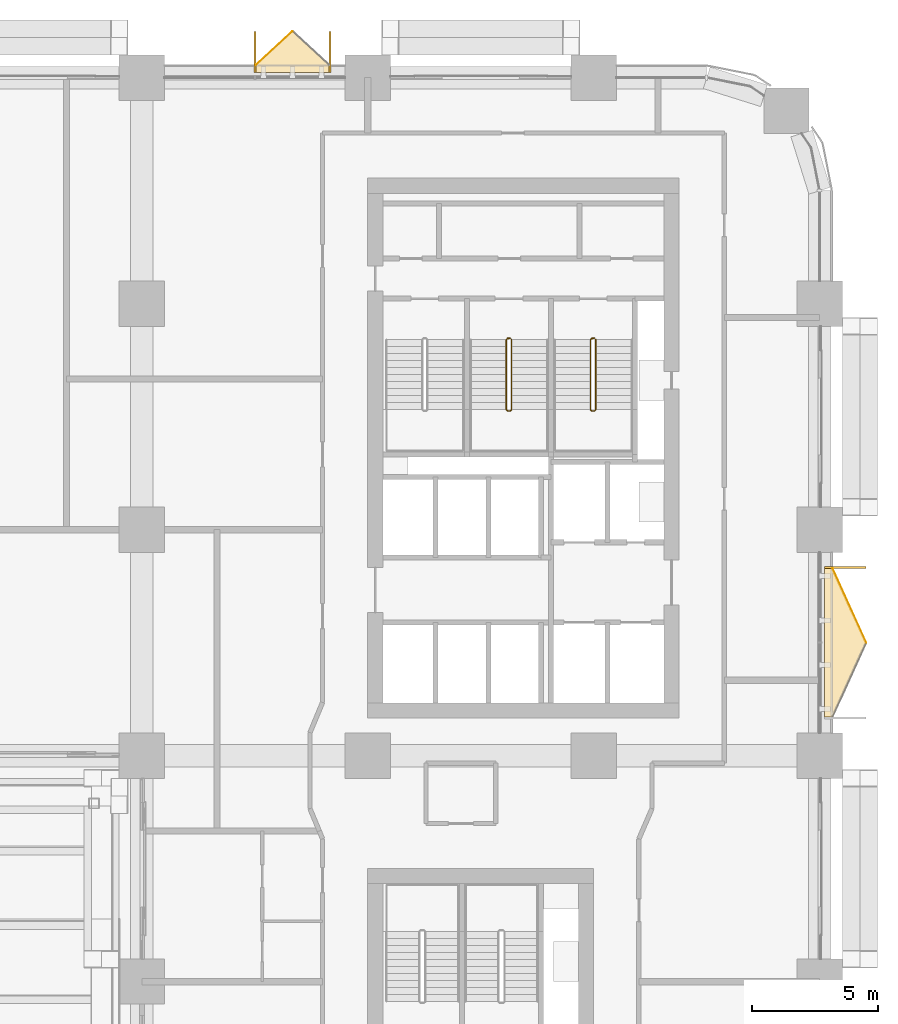
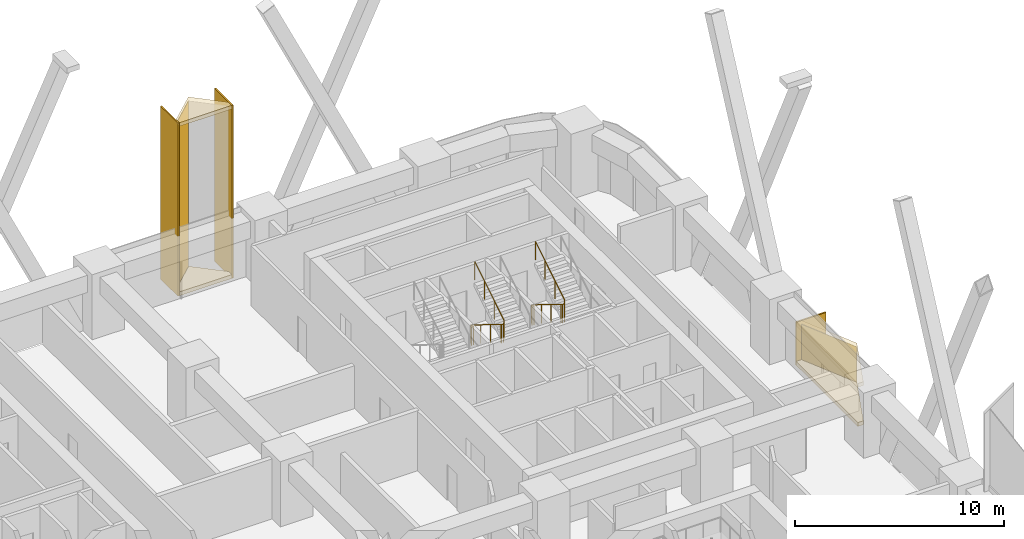
# One storey, part 22 of 22: 9 coverings, 2 railings.
"""IFC4 building model written with IfcOpenShell, lengths in metres."""

from ifc_helpers import new_model, si_unit, direction, frame, origin, origin_2d, place, context, subcontext, project, spatial, polyline, rectangle, circle, outline, extrude, material, layer, layer_set, type_object, element, save


model = new_model("IFC4")

# Units and contexts
model_context = context("Model", 3, precision=1e-05, world=origin(), true_north=direction((0.0, 1.0)))
body_context = subcontext(model_context, "Body", "Model", "MODEL_VIEW")
ifc_project = project(units=[si_unit("LENGTHUNIT", "METRE"), si_unit("AREAUNIT", "SQUARE_METRE"), si_unit("VOLUMEUNIT", "CUBIC_METRE"), si_unit("PLANEANGLEUNIT", "RADIAN"), si_unit("MASSUNIT", "GRAM", prefix="KILO")], contexts=[model_context])

# Site, building, storey
site_placement = place(None, origin())
site = spatial("IfcSite", under=ifc_project, at=site_placement, CompositionType="ELEMENT")
building_placement = place(site_placement, origin())
building = spatial("IfcBuilding", under=site, at=building_placement, Name="Tessera Arch", CompositionType="ELEMENT")
storey_placement = place(building_placement, frame((0.0, 0.0, 77.800048828125)))
storey = spatial("IfcBuildingStorey", under=building, at=storey_placement, Name="L17", CompositionType="ELEMENT", Elevation=77.800048828125)

# Railings
ifc_material_1 = material(Name="Painted steel balustrade", Category="steel")
railing_type = type_object("IfcRailingType", Name="Stair guard 1100", PredefinedType="GUARDRAIL", material=ifc_material_1)
railing_1_placement = place(storey_placement, frame((41.570068359375, 43.6298828125, 0.0)))
element("IfcRailing", 1, at=railing_1_placement, inside=storey, type_object=railing_type, Name="L17 S1b stair guard 1", PredefinedType="GUARDRAIL", context=body_context, shape_type="SweptSolid", body=[
    extrude(circle(Radius=0.02392578125, at=origin_2d()), frame((-0.00390625, 0.0, 1.076171875), z_axis=(1.0, 0.0, 0.0), x_axis=(0.0, 1.0, 0.0)), (0.0, 0.0, 1.0), 0.117919921875),
    extrude(circle(Radius=0.02392578125, at=origin_2d()), frame((0.112548828125, 0.000732421875, 1.0732421875), z_axis=(-0.664883824791, -0.207078321004, 0.717668494851), x_axis=(0.297361876254, -0.954764847777, 0.0)), (0.0, 0.0, 1.0), 0.24853515625),
    extrude(circle(Radius=0.02392578125, at=origin_2d()), frame((-0.050048828125, -0.04638671875, 1.24658203125), z_axis=(0.0, -0.851089632645, 0.525020415988), x_axis=(1.0, 0.0, 0.0)), (0.0, 0.0, 1.0), 3.2978515625),
    extrude(circle(Radius=0.02392578125, at=origin_2d()), frame((-0.052978515625, -2.846923828125, 2.97607421875), z_axis=(0.707106781187, -0.707106781187, 0.0), x_axis=(0.707106781187, 0.707106781187, 0.0)), (0.0, 0.0, 1.0), 0.078857421875),
    extrude(circle(Radius=0.02392578125, at=origin_2d()), frame((-0.00390625, -2.89990234375, 2.97607421875), z_axis=(1.0, 0.0, 0.0), x_axis=(0.0, 1.0, 0.0)), (0.0, 0.0, 1.0), 0.117919921875),
    extrude(circle(Radius=0.02392578125, at=origin_2d()), frame((0.10888671875, -2.90087890625, 2.97216796875), z_axis=(0.267953482034, 0.267953482034, 0.925419830635), x_axis=(-0.707106781187, 0.707106781187, 0.0)), (0.0, 0.0, 1.0), 0.19482421875),
    extrude(circle(Radius=0.02392578125, at=origin_2d()), frame((0.159912109375, -2.853271484375, 3.146728515625), z_axis=(0.0, 0.851089632645, 0.525020415988), x_axis=(-1.0, 0.0, 0.0)), (0.0, 0.0, 1.0), 3.2978515625),
    extrude(circle(Radius=0.02099609375, at=origin_2d()), origin(), (0.0, 0.0, 1.0), 1.06396484375),
    extrude(circle(Radius=0.02099609375, at=origin_2d()), frame((0.10986328125, 0.0, 0.0)), (0.0, 0.0, 1.0), 1.06396484375),
    extrude(circle(Radius=0.02099609375, at=origin_2d()), frame((-0.050048828125, -0.0498046875, 0.172607421875)), (0.0, 0.0, 1.0), 1.06396484375),
    extrude(circle(Radius=0.02099609375, at=origin_2d()), frame((-0.050048828125, -0.983154296875, 0.748291015625)), (0.0, 0.0, 1.0), 1.06396484375),
    extrude(circle(Radius=0.02099609375, at=origin_2d()), frame((-0.050048828125, -1.91650390625, 1.32421875)), (0.0, 0.0, 1.0), 1.06396484375),
    extrude(circle(Radius=0.02099609375, at=origin_2d()), frame((-0.050048828125, -2.849853515625, 1.89990234375)), (0.0, 0.0, 1.0), 1.06396484375),
    extrude(circle(Radius=0.02099609375, at=origin_2d()), frame((0.0, -2.89990234375, 1.89990234375)), (0.0, 0.0, 1.0), 1.06396484375),
    extrude(circle(Radius=0.02099609375, at=origin_2d()), frame((0.10986328125, -2.89990234375, 1.89990234375)), (0.0, 0.0, 1.0), 1.06396484375),
    extrude(circle(Radius=0.02099609375, at=origin_2d()), frame((0.159912109375, -2.849853515625, 2.07275390625)), (0.0, 0.0, 1.0), 1.06396484375),
    extrude(circle(Radius=0.02099609375, at=origin_2d()), frame((0.159912109375, -1.91650390625, 2.6484375)), (0.0, 0.0, 1.0), 1.06396484375),
    extrude(circle(Radius=0.02099609375, at=origin_2d()), frame((0.159912109375, -0.983154296875, 3.224365234375)), (0.0, 0.0, 1.0), 1.06396484375),
    extrude(circle(Radius=0.02099609375, at=origin_2d()), frame((0.159912109375, -0.0498046875, 3.800048828125)), (0.0, 0.0, 1.0), 1.06396484375),
])
railing_2_placement = place(storey_placement, frame((44.919921875, 43.6298828125, 0.0)))
element("IfcRailing", 2, at=railing_2_placement, inside=storey, type_object=railing_type, Name="L17 S1c stair guard 1", PredefinedType="GUARDRAIL", context=body_context, shape_type="SweptSolid", body=[
    extrude(circle(Radius=0.02392578125, at=origin_2d()), frame((-0.00390625, 0.0, 1.076171875), z_axis=(1.0, 0.0, 0.0), x_axis=(0.0, 1.0, 0.0)), (0.0, 0.0, 1.0), 0.1181640625),
    extrude(circle(Radius=0.02392578125, at=origin_2d()), frame((0.11279296875, 0.000732421875, 1.0732421875), z_axis=(-0.664883824791, -0.207078321004, 0.717668494851), x_axis=(0.297361876254, -0.954764847777, 0.0)), (0.0, 0.0, 1.0), 0.24853515625),
    extrude(circle(Radius=0.02392578125, at=origin_2d()), frame((-0.0498046875, -0.04638671875, 1.24658203125), z_axis=(0.0, -0.851089632645, 0.525020415988), x_axis=(1.0, 0.0, 0.0)), (0.0, 0.0, 1.0), 3.2978515625),
    extrude(circle(Radius=0.02392578125, at=origin_2d()), frame((-0.052734375, -2.846923828125, 2.97607421875), z_axis=(0.705375805398, -0.708833529934, 0.0), x_axis=(0.708833529934, 0.705375805398, 0.0)), (0.0, 0.0, 1.0), 0.07861328125),
    extrude(circle(Radius=0.02392578125, at=origin_2d()), frame((-0.00390625, -2.89990234375, 2.97607421875), z_axis=(1.0, 0.0, 0.0), x_axis=(0.0, 1.0, 0.0)), (0.0, 0.0, 1.0), 0.1181640625),
    extrude(circle(Radius=0.02392578125, at=origin_2d()), frame((0.109130859375, -2.90087890625, 2.97216796875), z_axis=(0.267953482034, 0.267953482034, 0.925419830635), x_axis=(-0.707106781187, 0.707106781187, 0.0)), (0.0, 0.0, 1.0), 0.19482421875),
    extrude(circle(Radius=0.02392578125, at=origin_2d()), frame((0.16015625, -2.853271484375, 3.146728515625), z_axis=(0.0, 0.851089632645, 0.525020415988), x_axis=(-1.0, 0.0, 0.0)), (0.0, 0.0, 1.0), 3.2978515625),
    extrude(circle(Radius=0.02099609375, at=origin_2d()), origin(), (0.0, 0.0, 1.0), 1.06396484375),
    extrude(circle(Radius=0.02099609375, at=origin_2d()), frame((0.110107421875, 0.0, 0.0)), (0.0, 0.0, 1.0), 1.06396484375),
    extrude(circle(Radius=0.02099609375, at=origin_2d()), frame((-0.0498046875, -0.0498046875, 0.172607421875)), (0.0, 0.0, 1.0), 1.06396484375),
    extrude(circle(Radius=0.02099609375, at=origin_2d()), frame((-0.0498046875, -0.983154296875, 0.748291015625)), (0.0, 0.0, 1.0), 1.06396484375),
    extrude(circle(Radius=0.02099609375, at=origin_2d()), frame((-0.0498046875, -1.91650390625, 1.32421875)), (0.0, 0.0, 1.0), 1.06396484375),
    extrude(circle(Radius=0.02099609375, at=origin_2d()), frame((-0.0498046875, -2.849853515625, 1.89990234375)), (0.0, 0.0, 1.0), 1.06396484375),
    extrude(circle(Radius=0.02099609375, at=origin_2d()), frame((0.0, -2.89990234375, 1.89990234375)), (0.0, 0.0, 1.0), 1.06396484375),
    extrude(circle(Radius=0.02099609375, at=origin_2d()), frame((0.110107421875, -2.89990234375, 1.89990234375)), (0.0, 0.0, 1.0), 1.06396484375),
    extrude(circle(Radius=0.02099609375, at=origin_2d()), frame((0.16015625, -2.849853515625, 2.07275390625)), (0.0, 0.0, 1.0), 1.06396484375),
    extrude(circle(Radius=0.02099609375, at=origin_2d()), frame((0.16015625, -1.91650390625, 2.6484375)), (0.0, 0.0, 1.0), 1.06396484375),
    extrude(circle(Radius=0.02099609375, at=origin_2d()), frame((0.16015625, -0.983154296875, 3.224365234375)), (0.0, 0.0, 1.0), 1.06396484375),
    extrude(circle(Radius=0.02099609375, at=origin_2d()), frame((0.16015625, -0.0498046875, 3.800048828125)), (0.0, 0.0, 1.0), 1.06396484375),
])

# Coverings
ifc_material_2 = material(Name="Anodised aluminium pale metal", Category="aluminium")
ifc_layer_1 = layer(ifc_material_2, 0.080078125)
ifc_layer_set_1 = layer_set([ifc_layer_1], Name="Window box cheek")
covering_type_1 = type_object("IfcCoveringType", Name="Window box cheek", PredefinedType="CLADDING", material=ifc_layer_set_1)
covering_1_placement = place(storey_placement, origin())
element("IfcCovering", 3, at=covering_1_placement, inside=storey, type_object=covering_type_1, Name="Window box N54.0/1.0 1x3 cheek", PredefinedType="CLADDING", context=body_context, shape_type="SweptSolid", body=[
    extrude(outline(polyline([(34.530029296875, 55.85009765625), (34.449951171875, 55.85009765625), (34.449951171875, 54.199951171875), (34.530029296875, 54.199951171875), (34.530029296875, 55.85009765625)])), origin(), (0.0, 0.0, 1.0), 10.099853515625),
])
covering_2_placement = place(storey_placement, origin())
element("IfcCovering", 4, at=covering_2_placement, inside=storey, type_object=covering_type_1, Name="Window box N54.0/1.0 1x3 cheek", PredefinedType="CLADDING", context=body_context, shape_type="SweptSolid", body=[
    extrude(outline(polyline([(31.550048828125, 55.85009765625), (31.469970703125, 55.85009765625), (31.469970703125, 54.199951171875), (31.550048828125, 54.199951171875), (31.550048828125, 55.85009765625)])), origin(), (0.0, 0.0, 1.0), 10.099853515625),
])
covering_3_placement = place(storey_placement, origin())
element("IfcCovering", 5, at=covering_3_placement, inside=storey, type_object=covering_type_1, Name="Window box E54.0/3.0 2x1 cheek", PredefinedType="CLADDING", context=body_context, shape_type="SweptSolid", body=[
    extrude(outline(polyline([(55.85009765625, 34.449951171875), (55.85009765625, 34.530029296875), (54.199951171875, 34.530029296875), (54.199951171875, 34.449951171875), (55.85009765625, 34.449951171875)])), origin(), (0.0, 0.0, 1.0), 2.5),
])
ifc_material_3 = material(Name="Anodised aluminium pale metal", Category="aluminium")
ifc_layer_2 = layer(ifc_material_3, 0.219970703125)
ifc_layer_set_2 = layer_set([ifc_layer_2], Name="Window box frame plate pale metal")
covering_type_2 = type_object("IfcCoveringType", Name="Window box frame plate pale metal", PredefinedType="CLADDING", material=ifc_layer_set_2)
for number, where, name in (
    (6, (0.0, 0.0, 0.0), "Window box N54.0/1.0 1x3 floor"),
    (7, (0.0, 0.0, 9.8798828125), "Window box N54.0/1.0 1x3 roof"),
):
    element("IfcCovering", number, at=place(storey_placement, frame(where)), inside=storey, type_object=covering_type_2, Name=name, PredefinedType="CLADDING", context=body_context, shape_type="SweptSolid", body=[
        extrude(outline(polyline([(34.449951171875, 54.510009765625), (33.0, 55.85009765625), (31.550048828125, 54.510009765625), (31.550048828125, 54.199951171875), (34.449951171875, 54.199951171875), (34.449951171875, 54.510009765625)])), origin(), (0.0, 0.0, 1.0), 0.219970703125),
    ])
for number, where, name in (
    (8, (0.0, 0.0, 0.0), "Window box E54.0/3.0 2x1 floor"),
    (9, (0.0, 0.0, 2.280029296875), "Window box E54.0/3.0 2x1 roof"),
):
    element("IfcCovering", number, at=place(storey_placement, frame(where)), inside=storey, type_object=covering_type_2, Name=name, PredefinedType="CLADDING", context=body_context, shape_type="SweptSolid", body=[
        extrude(outline(polyline([(54.510009765625, 28.550048828125), (55.85009765625, 31.5), (54.510009765625, 34.449951171875), (54.199951171875, 34.449951171875), (54.199951171875, 28.550048828125), (54.510009765625, 28.550048828125)])), origin(), (0.0, 0.0, 1.0), 0.219970703125),
    ])
ifc_material_4 = material(Name="Anodised aluminium pale metal", Category="aluminium")
ifc_layer_3 = layer(ifc_material_4, 0.028076171875)
ifc_layer_set_3 = layer_set([ifc_layer_3], Name="Window box side panel")
covering_type_3 = type_object("IfcCoveringType", Name="Window box side panel", PredefinedType="CLADDING", material=ifc_layer_set_3)
covering_4_placement = place(storey_placement, frame((32.27490234375, 55.179931640625, 0.22021484375), z_axis=(0.0, 0.0, 1.0), x_axis=(0.734414958885, 0.678700720617, 0.0)))
element("IfcCovering", 10, at=covering_4_placement, inside=storey, type_object=covering_type_3, Name="Window box N54.0/1.0 1x3 side panel", PredefinedType="CLADDING", context=body_context, shape_type="SweptSolid", body=[
    extrude(rectangle(XDim=1.974365234375, YDim=0.028076171875, at=origin_2d()), origin(), (0.0, 0.0, 1.0), 9.659912109375),
])
covering_5_placement = place(storey_placement, frame((55.179931640625, 32.97509765625, 0.219970703125), z_axis=(0.0, 0.0, 1.0), x_axis=(0.413570397858, -0.910472144558, 0.0)))
element("IfcCovering", 11, at=covering_5_placement, inside=storey, type_object=covering_type_3, Name="Window box E54.0/3.0 2x1 side panel", PredefinedType="CLADDING", context=body_context, shape_type="SweptSolid", body=[
    extrude(rectangle(XDim=3.239990234375, YDim=0.028076171875, at=origin_2d()), origin(), (0.0, 0.0, 1.0), 2.06005859375),
])

save(model, "model.ifc")
